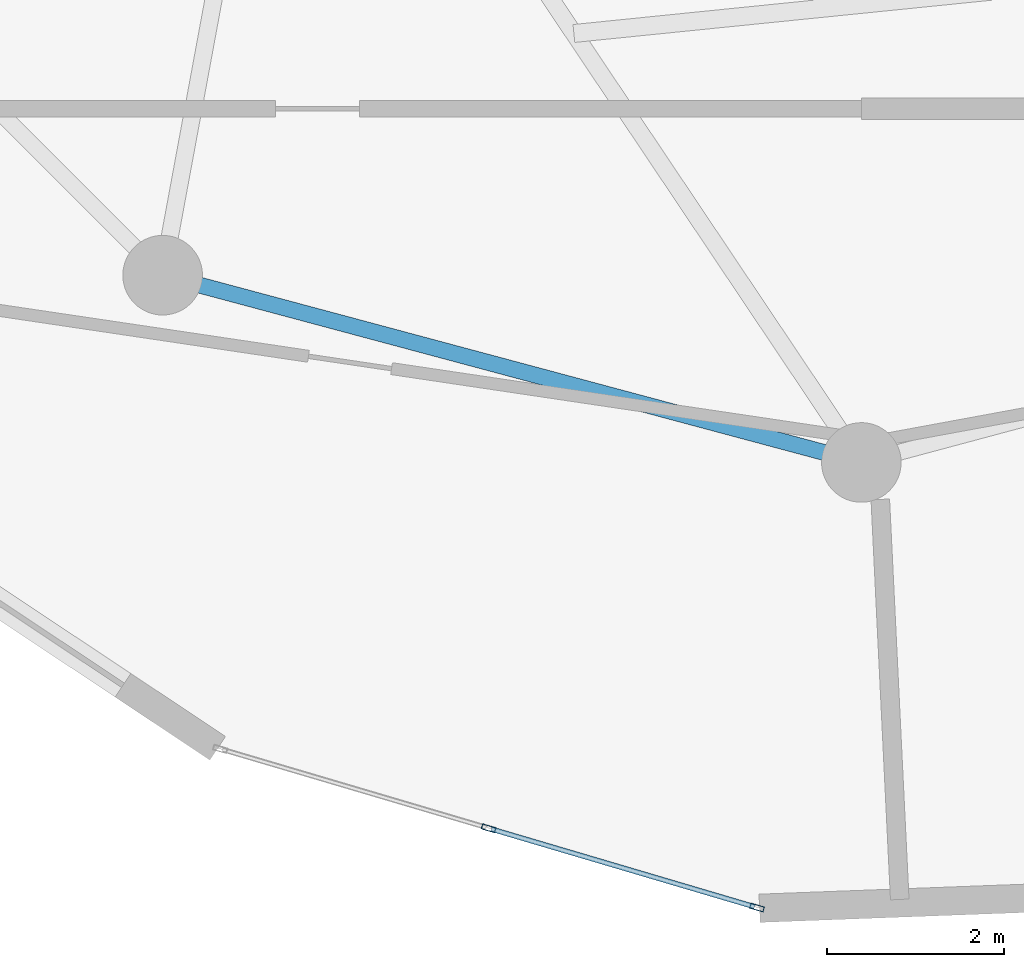
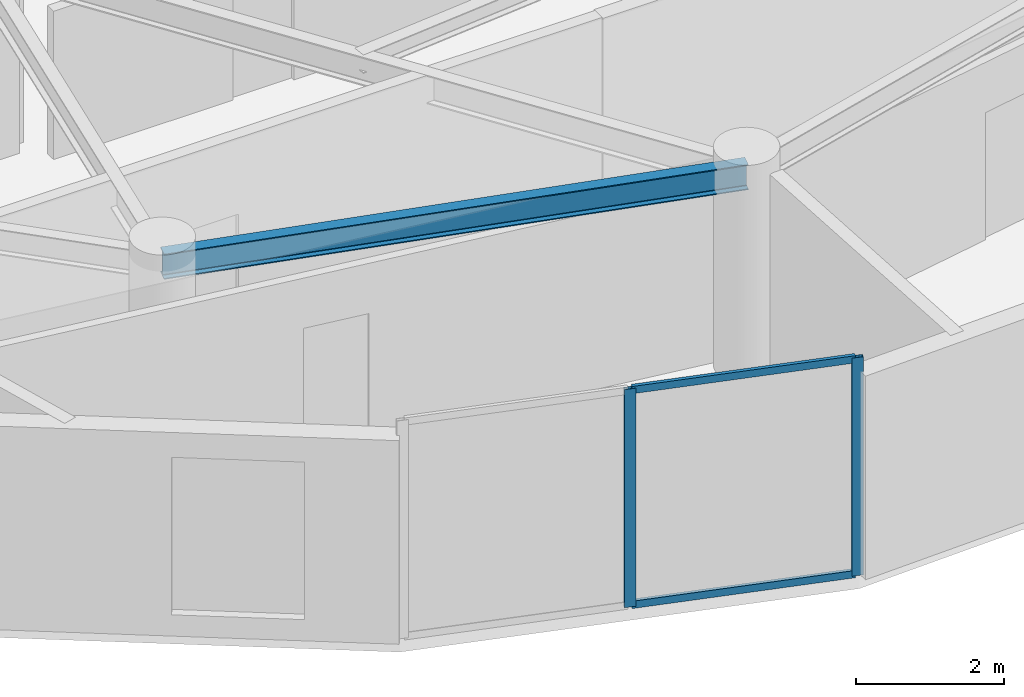
# One storey, part 5 of 24: 4 members, 1 beam, 1 element without a shape of its own.
"""IFC4 building model written with IfcOpenShell, lengths in metres."""

from ifc_helpers import new_model, si_unit, direction, frame, origin, origin_2d, place, context, subcontext, project, spatial, hollow_rectangle, i_section, extrude, source, transform, mapped, material, layer, layer_set, material_profile, profile_set, type_object, element, aggregate, save


model = new_model("IFC4")

# Units and contexts
model_context = context("Model", 3, precision=1e-05, world=origin(), true_north=direction((0.0, 1.0)))
body_context = subcontext(model_context, "Body", "Model", "MODEL_VIEW")
ifc_project = project(units=[si_unit("LENGTHUNIT", "METRE"), si_unit("AREAUNIT", "SQUARE_METRE"), si_unit("VOLUMEUNIT", "CUBIC_METRE"), si_unit("PLANEANGLEUNIT", "RADIAN"), si_unit("MASSUNIT", "GRAM", prefix="KILO")], contexts=[model_context])

# Site, building, storey
site_placement = place(None, origin())
site = spatial("IfcSite", under=ifc_project, at=site_placement, CompositionType="ELEMENT")
building_placement = place(site_placement, origin())
building = spatial("IfcBuilding", under=site, at=building_placement, Name="Solvirekh Grand Hotel", CompositionType="ELEMENT")
storey_placement = place(building_placement, frame((0.0, 0.0, 184.0)))
storey = spatial("IfcBuildingStorey", under=building, at=storey_placement, Name="L47", CompositionType="ELEMENT", Elevation=184.0)

# Beam
ifc_material_1 = material(Name="Steel S355", Category="steel")
ifc_material_profile_1 = material_profile(ifc_material_1, i_section(OverallWidth=0.180908203125, OverallDepth=0.4169921875, WebThickness=0.010009765625, FlangeThickness=0.01611328125, FilletRadius=0.011962890625, at=origin_2d()), Name="W410X85")
ifc_profile_set_1 = profile_set([ifc_material_profile_1], Name="Steel S355")
beam_type = type_object("IfcBeamType", Name="Spandrel_Ring_W410", PredefinedType="SPANDREL", material=ifc_profile_set_1)
beam_placement = place(storey_placement, frame((-7.89990234375, -13.68310546875, 3.152099609375), z_axis=(0.965920601923, -0.258838541915, 0.0), x_axis=(0.258838541915, 0.965920601923, 0.0)))
element("IfcBeam", 1, at=beam_placement, inside=storey, type_object=beam_type, Name="L47 perimeter spandrel beam 9", PredefinedType="SPANDREL", context=body_context, shape_type="SweptSolid", body=[
    extrude(i_section(OverallWidth=0.180908203125, OverallDepth=0.4169921875, WebThickness=0.010009765625, FlangeThickness=0.01611328125, FilletRadius=0.011962890625, at=origin_2d()), origin(), (0.0, 0.0, 1.0), 8.1787109375),
])

# Curtain wall, members
ifc_material_2 = material(Name="Anodized Bronze Aluminium 6063-T6", Category="aluminium")
ifc_layer = layer(ifc_material_2, 0.159912109375)
ifc_layer_set = layer_set([ifc_layer], Name="Anodized Bronze Aluminium 6063-T6")
curtain_wall_type = type_object("IfcCurtainWallType", Name="CW_Sys4_HighZoneFlushBronzeCW", PredefinedType="NOTDEFINED", material=ifc_layer_set)
curtain_wall_placement = place(storey_placement, origin())
curtain_wall = element("IfcCurtainWall", 2, at=curtain_wall_placement, inside=storey, type_object=curtain_wall_type, Name="L47 unitised bronze-glass curtain wall CW-L47-C18", PredefinedType="NOTDEFINED")
ifc_material_profile_2 = material_profile(ifc_material_2, hollow_rectangle(XDim=0.06005859375, YDim=0.159912109375, WallThickness=0.0048828125, at=origin_2d()), Name="ALU RHS 160X60X5")
ifc_profile_set_2 = profile_set([ifc_material_profile_2], Name="Anodized Bronze Aluminium 6063-T6")
member_type_1 = type_object("IfcMemberType", Name="CWMullion_Sys4", PredefinedType="MULLION", material=ifc_profile_set_2)
shared_shape_1 = source(origin(), body_context, "Body", "SweptSolid", [
    extrude(hollow_rectangle(XDim=0.06005859375, YDim=0.159912109375, WallThickness=0.0048828125, at=origin_2d()), origin(), (0.0, 0.0, 1.0), 3.60009765625),
])
member_1_placement = place(storey_placement, frame((-4.214599609375, -19.93603515625, 0.0), z_axis=(0.0, 0.0, 1.0), x_axis=(0.283310151236, 0.959028340669, 0.0)))
member_1 = element("IfcMember", 3, at=member_1_placement, type_object=member_type_1, Name="U04 mullion 2", PredefinedType="MULLION", context=body_context, shape_type="MappedRepresentation", body=[
    mapped(shared_shape_1, transform((0.0, 0.0, 0.0), x_axis=(1.0, 0.0, 0.0), y_axis=(0.0, 1.0, 0.0), z_axis=(0.0, 0.0, 1.0), scale=1.0)),
])
member_2_placement = place(storey_placement, frame((-1.1796875, -20.83251953125, 0.0), z_axis=(0.0, 0.0, 1.0), x_axis=(0.283310151236, 0.959028340669, 0.0)))
member_2 = element("IfcMember", 4, at=member_2_placement, type_object=member_type_1, Name="U04 mullion 3", PredefinedType="MULLION", context=body_context, shape_type="MappedRepresentation", body=[
    mapped(shared_shape_1, transform((0.0, 0.0, 0.0), x_axis=(1.0, 0.0, 0.0), y_axis=(0.0, 1.0, 0.0), z_axis=(0.0, 0.0, 1.0), scale=1.0)),
])
ifc_material_profile_3 = material_profile(ifc_material_2, hollow_rectangle(XDim=0.054931640625, YDim=0.1201171875, WallThickness=0.00390625, at=origin_2d()), Name="ALU RHS 120X55X4")
ifc_profile_set_3 = profile_set([ifc_material_profile_3], Name="Anodized Bronze Aluminium 6063-T6")
member_type_2 = type_object("IfcMemberType", Name="CWTransom_Sys4", PredefinedType="USERDEFINED", material=ifc_profile_set_3)
shared_shape_2 = source(origin(), body_context, "Body", "SweptSolid", [
    extrude(hollow_rectangle(XDim=0.054931640625, YDim=0.1201171875, WallThickness=0.00390625, at=origin_2d()), origin(), (0.0, 0.0, 1.0), 3.1044921875),
])
member_3_placement = place(storey_placement, frame((-4.185791015625, -19.944580078125, 0.027587890625), z_axis=(0.959040531707, -0.283268880296, 0.0), x_axis=(0.283268880296, 0.959040531707, 0.0)))
member_3 = element("IfcMember", 5, at=member_3_placement, type_object=member_type_2, Name="U04 transom 2.1", ObjectType="TRANSOM", PredefinedType="USERDEFINED", context=body_context, shape_type="MappedRepresentation", body=[
    mapped(shared_shape_2, transform((0.0, 0.0, 0.0), x_axis=(1.0, 0.0, 0.0), y_axis=(0.0, 1.0, 0.0), z_axis=(0.0, 0.0, 1.0), scale=1.0)),
])
member_4_placement = place(storey_placement, frame((-4.185791015625, -19.944580078125, 3.572509765625), z_axis=(0.959040531707, -0.283268880296, 0.0), x_axis=(0.283268880296, 0.959040531707, 0.0)))
member_4 = element("IfcMember", 6, at=member_4_placement, type_object=member_type_2, Name="U04 transom 2.2", ObjectType="TRANSOM", PredefinedType="USERDEFINED", context=body_context, shape_type="MappedRepresentation", body=[
    mapped(shared_shape_2, transform((0.0, 0.0, 0.0), x_axis=(1.0, 0.0, 0.0), y_axis=(0.0, 1.0, 0.0), z_axis=(0.0, 0.0, 1.0), scale=1.0)),
])
aggregate(curtain_wall, [member_1, member_2, member_3, member_4])

save(model, "model.ifc")
